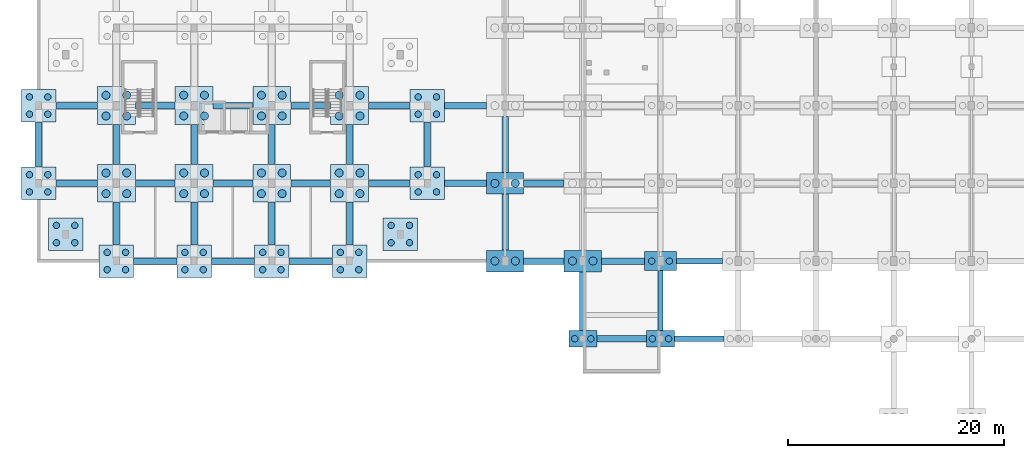
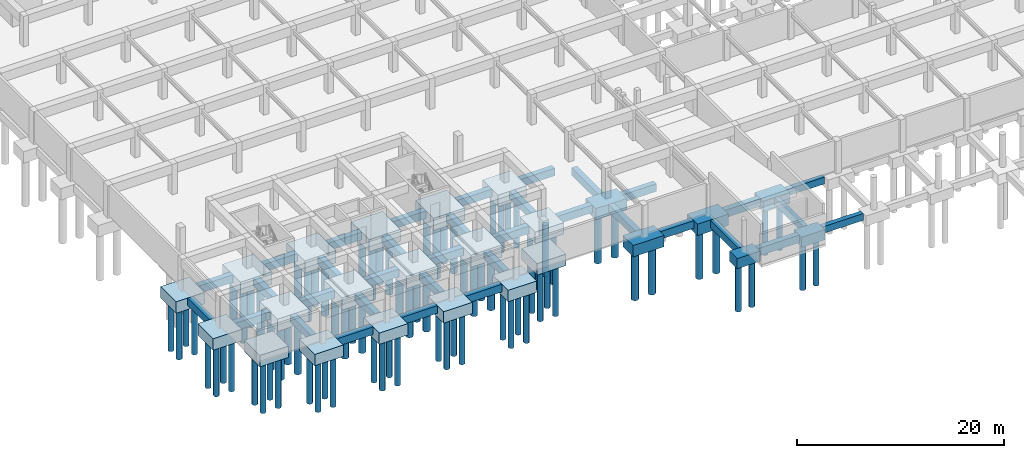
# One storey, part 1 of 36: 84 piles, 59 footings.
"""IFC4 building model written with IfcOpenShell, lengths in metres."""

from ifc_helpers import new_model, si_unit, direction, frame, origin, origin_2d, place, context, subcontext, project, spatial, rectangle, circle, extrude, material, material_profile, profile_set, type_object, element, save


model = new_model("IFC4")

# Units and contexts
model_context = context("Model", 3, precision=1e-05, world=origin(), true_north=direction((0.0, 1.0)))
body_context = subcontext(model_context, "Body", "Model", "MODEL_VIEW")
ifc_project = project(units=[si_unit("LENGTHUNIT", "METRE"), si_unit("AREAUNIT", "SQUARE_METRE"), si_unit("VOLUMEUNIT", "CUBIC_METRE"), si_unit("PLANEANGLEUNIT", "RADIAN"), si_unit("MASSUNIT", "GRAM", prefix="KILO")], contexts=[model_context])

# Site, building, storey
site_placement = place(None, origin())
site = spatial("IfcSite", under=ifc_project, at=site_placement, CompositionType="ELEMENT")
building_placement = place(site_placement, origin())
building = spatial("IfcBuilding", under=site, at=building_placement, Name="Ochrevale Crest", CompositionType="ELEMENT")
storey_placement = place(building_placement, frame((0.0, 0.0, -3.60009765625)))
storey = spatial("IfcBuildingStorey", under=building, at=storey_placement, Name="B1", CompositionType="ELEMENT", Elevation=-3.60009765625)

# Footings
ifc_material = material(Name="Concrete C40/50", Category="concrete")
footing_type_1 = type_object("IfcFootingType", Name="CAP-PC04", PredefinedType="PILE_CAP", material=ifc_material)
for number, where, z_axis, x_axis, name in (
    (1, (7.199951171875, 21.60009765625, -1.7099609375), (0.0, 0.0, 1.0), (1.0, 0.0, 0.0), "Pile cap PC04-014"),
    (2, (7.199951171875, 28.800048828125, -1.7099609375), (0.0, 0.0, 1.0), (1.0, 0.0, 0.0), "Pile cap PC04-015"),
    (3, (14.39990234375, 21.60009765625, -1.7099609375), (0.0, 0.0, 1.0), (1.0, 0.0, 0.0), "Pile cap PC04-026"),
    (4, (14.39990234375, 28.800048828125, -1.7099609375), (0.0, 0.0, 1.0), (1.0, 0.0, 0.0), "Pile cap PC04-027"),
    (5, (21.60009765625, 21.60009765625, -1.7099609375), (0.0, 0.0, 1.0), (1.0, 0.0, 0.0), "Pile cap PC04-038"),
    (6, (21.60009765625, 28.800048828125, -1.7099609375), (0.0, 0.0, 1.0), (1.0, 0.0, 0.0), "Pile cap PC04-039"),
    (7, (28.800048828125, 21.60009765625, -1.7099609375), (0.0, 0.0, 1.0), (1.0, 0.0, 0.0), "Pile cap PC04-050"),
    (8, (28.800048828125, 28.800048828125, -1.7099609375), (0.0, 0.0, 1.0), (1.0, 0.0, 0.0), "Pile cap PC04-051"),
):
    element("IfcFooting", number, at=place(storey_placement, frame(where, z_axis=z_axis, x_axis=x_axis)), inside=storey, type_object=footing_type_1, Name=name, PredefinedType="PILE_CAP", context=body_context, shape_type="SweptSolid", body=[
        extrude(rectangle(XDim=3.5, YDim=3.5, at=origin_2d()), origin(), (0.0, 0.0, 1.0), 1.449951171875),
    ])
footing_type_2 = type_object("IfcFootingType", Name="CAP-PC08", PredefinedType="PILE_CAP", material=ifc_material)
for number, where, z_axis, x_axis, name in (
    (9, (0.0, 21.60009765625, -1.60986328125), (0.0, 0.0, 1.0), (1.0, 0.0, 0.0), "Pile cap PC08-001"),
    (10, (0.0, 28.800048828125, -1.60986328125), (0.0, 0.0, 1.0), (1.0, 0.0, 0.0), "Pile cap PC08-002"),
    (11, (2.5, 16.89990234375, -1.60986328125), (0.0, 0.0, 1.0), (1.0, 0.0, 0.0), "Pile cap PC08-009"),
    (12, (7.199951171875, 14.39990234375, -1.60986328125), (0.0, 0.0, 1.0), (1.0, 0.0, 0.0), "Pile cap PC08-013"),
    (13, (14.39990234375, 14.39990234375, -1.60986328125), (0.0, 0.0, 1.0), (1.0, 0.0, 0.0), "Pile cap PC08-025"),
    (14, (21.60009765625, 14.39990234375, -1.60986328125), (0.0, 0.0, 1.0), (1.0, 0.0, 0.0), "Pile cap PC08-037"),
    (15, (28.800048828125, 14.39990234375, -1.60986328125), (0.0, 0.0, 1.0), (1.0, 0.0, 0.0), "Pile cap PC08-049"),
    (16, (33.5, 16.89990234375, -1.60986328125), (0.0, 0.0, 1.0), (1.0, 0.0, 0.0), "Pile cap PC08-061"),
    (17, (36.0, 21.60009765625, -1.60986328125), (0.0, 0.0, 1.0), (1.0, 0.0, 0.0), "Pile cap PC08-065"),
    (18, (36.0, 28.800048828125, -1.60986328125), (0.0, 0.0, 1.0), (1.0, 0.0, 0.0), "Pile cap PC08-066"),
):
    element("IfcFooting", number, at=place(storey_placement, frame(where, z_axis=z_axis, x_axis=x_axis)), inside=storey, type_object=footing_type_2, Name=name, PredefinedType="PILE_CAP", context=body_context, shape_type="SweptSolid", body=[
        extrude(rectangle(XDim=3.199951171875, YDim=3.0, at=origin_2d()), origin(), (0.0, 0.0, 1.0), 1.35009765625),
    ])
footing_type_3 = type_object("IfcFootingType", Name="CAP-PC12", PredefinedType="PILE_CAP", material=ifc_material)
for number, where, z_axis, x_axis, name in (
    (19, (43.199951171875, 14.39990234375, -1.60986328125), (0.0, 0.0, 1.0), (1.0, 0.0, 0.0), "Pile cap PC12-073"),
    (20, (43.199951171875, 21.60009765625, -1.60986328125), (0.0, 0.0, 1.0), (1.0, 0.0, 0.0), "Pile cap PC12-074"),
    (21, (50.39990234375, 14.39990234375, -1.60986328125), (0.0, 0.0, 1.0), (1.0, 0.0, 0.0), "Pile cap PC12-086"),
):
    element("IfcFooting", number, at=place(storey_placement, frame(where, z_axis=z_axis, x_axis=x_axis)), inside=storey, type_object=footing_type_3, Name=name, PredefinedType="PILE_CAP", context=body_context, shape_type="SweptSolid", body=[
        extrude(rectangle(XDim=3.449951171875, YDim=2.0, at=origin_2d()), origin(), (0.0, 0.0, 1.0), 1.35009765625),
    ])
footing_type_4 = type_object("IfcFootingType", Name="CAP-PC14", PredefinedType="PILE_CAP", material=ifc_material)
footing_1_placement = place(storey_placement, frame((57.60009765625, 14.39990234375, -1.510009765625), z_axis=(0.0, 0.0, 1.0), x_axis=(1.0, 0.0, 0.0)))
element("IfcFooting", 22, at=footing_1_placement, inside=storey, type_object=footing_type_4, Name="Pile cap PC14-099", PredefinedType="PILE_CAP", context=body_context, shape_type="SweptSolid", body=[
    extrude(rectangle(XDim=2.949951171875, YDim=1.75, at=origin_2d()), origin(), (0.0, 0.0, 1.0), 1.25),
])
footing_type_5 = type_object("IfcFootingType", Name="CAP-PC15", PredefinedType="PILE_CAP", material=ifc_material)
for number, where, z_axis, x_axis, name in (
    (23, (50.39990234375, 7.199951171875, -1.4599609375), (0.0, 0.0, 1.0), (1.0, 0.0, 0.0), "Pile cap PC15-085"),
    (24, (57.60009765625, 7.199951171875, -1.4599609375), (0.0, 0.0, 1.0), (1.0, 0.0, 0.0), "Pile cap PC15-098"),
):
    element("IfcFooting", number, at=place(storey_placement, frame(where, z_axis=z_axis, x_axis=x_axis)), inside=storey, type_object=footing_type_5, Name=name, PredefinedType="PILE_CAP", context=body_context, shape_type="SweptSolid", body=[
        extrude(rectangle(XDim=2.60009765625, YDim=1.5, at=origin_2d()), origin(), (0.0, 0.0, 1.0), 1.199951171875),
    ])
ifc_material_profile_1 = material_profile(ifc_material, rectangle(XDim=0.5, YDim=0.800048828125, at=origin_2d()), Name="GB 500x800")
ifc_profile_set_1 = profile_set([ifc_material_profile_1], Name="Concrete C40/50")
footing_type_6 = type_object("IfcFootingType", Name="FTG-GB500x800", PredefinedType="FOOTING_BEAM", material=ifc_profile_set_1)
footing_2_placement = place(storey_placement, frame((58.902099609375, 7.199951171875, -0.659912109375), z_axis=(1.0, 0.0, 0.0), x_axis=(0.0, 1.0, 0.0)))
element("IfcFooting", 25, at=footing_2_placement, inside=storey, type_object=footing_type_6, Name="Foundation tie beam GB2-163", PredefinedType="FOOTING_BEAM", context=body_context, shape_type="SweptSolid", body=[
    extrude(rectangle(XDim=0.5, YDim=0.800048828125, at=origin_2d()), origin(), (0.0, 0.0, 1.0), 4.595947265625),
])
footing_3_placement = place(storey_placement, frame((57.60009765625, 7.951904296875, -0.659912109375), z_axis=(0.0, 1.0, 0.0), x_axis=(-1.0, 0.0, 0.0)))
element("IfcFooting", 26, at=footing_3_placement, inside=storey, type_object=footing_type_6, Name="Foundation tie beam GB2-164", PredefinedType="FOOTING_BEAM", context=body_context, shape_type="SweptSolid", body=[
    extrude(rectangle(XDim=0.5, YDim=0.800048828125, at=origin_2d()), origin(), (0.0, 0.0, 1.0), 5.571044921875),
])
footing_4_placement = place(storey_placement, frame((59.076904296875, 14.39990234375, -0.659912109375), z_axis=(1.0, 0.0, 0.0), x_axis=(0.0, 1.0, 0.0)))
element("IfcFooting", 27, at=footing_4_placement, inside=storey, type_object=footing_type_6, Name="Foundation tie beam GB2-165", PredefinedType="FOOTING_BEAM", context=body_context, shape_type="SweptSolid", body=[
    extrude(rectangle(XDim=0.5, YDim=0.800048828125, at=origin_2d()), origin(), (0.0, 0.0, 1.0), 4.24609375),
])
ifc_material_profile_2 = material_profile(ifc_material, rectangle(XDim=0.60009765625, YDim=0.89990234375, at=origin_2d()), Name="GB 600x900")
ifc_profile_set_2 = profile_set([ifc_material_profile_2], Name="Concrete C40/50")
footing_type_7 = type_object("IfcFootingType", Name="FTG-GB600x900", PredefinedType="FOOTING_BEAM", material=ifc_profile_set_2)
footing_5_placement = place(storey_placement, frame((1.60205078125, 21.60009765625, -0.7099609375), z_axis=(1.0, 0.0, 0.0), x_axis=(0.0, 1.0, 0.0)))
element("IfcFooting", 28, at=footing_5_placement, inside=storey, type_object=footing_type_7, Name="Foundation tie beam GB1-001", PredefinedType="FOOTING_BEAM", context=body_context, shape_type="SweptSolid", body=[
    extrude(rectangle(XDim=0.60009765625, YDim=0.89990234375, at=origin_2d()), origin(), (0.0, 0.0, 1.0), 3.845947265625),
])
footing_6_placement = place(storey_placement, frame((0.0, 23.10205078125, -0.7099609375), z_axis=(0.0, 1.0, 0.0), x_axis=(-1.0, 0.0, 0.0)))
element("IfcFooting", 29, at=footing_6_placement, inside=storey, type_object=footing_type_7, Name="Foundation tie beam GB1-002", PredefinedType="FOOTING_BEAM", context=body_context, shape_type="SweptSolid", body=[
    extrude(rectangle(XDim=0.60009765625, YDim=0.89990234375, at=origin_2d()), origin(), (0.0, 0.0, 1.0), 4.196044921875),
])
footing_7_placement = place(storey_placement, frame((1.60205078125, 28.800048828125, -0.7099609375), z_axis=(1.0, 0.0, 0.0), x_axis=(0.0, 1.0, 0.0)))
element("IfcFooting", 30, at=footing_7_placement, inside=storey, type_object=footing_type_7, Name="Foundation tie beam GB1-003", PredefinedType="FOOTING_BEAM", context=body_context, shape_type="SweptSolid", body=[
    extrude(rectangle(XDim=0.60009765625, YDim=0.89990234375, at=origin_2d()), origin(), (0.0, 0.0, 1.0), 3.845947265625),
])
footing_8_placement = place(storey_placement, frame((8.802001953125, 14.39990234375, -0.7099609375), z_axis=(1.0, 0.0, 0.0), x_axis=(0.0, 1.0, 0.0)))
element("IfcFooting", 31, at=footing_8_placement, inside=storey, type_object=footing_type_7, Name="Foundation tie beam GB1-014", PredefinedType="FOOTING_BEAM", context=body_context, shape_type="SweptSolid", body=[
    extrude(rectangle(XDim=0.60009765625, YDim=0.89990234375, at=origin_2d()), origin(), (0.0, 0.0, 1.0), 3.99609375),
])
footing_9_placement = place(storey_placement, frame((7.199951171875, 15.902099609375, -0.7099609375), z_axis=(0.0, 1.0, 0.0), x_axis=(-1.0, 0.0, 0.0)))
element("IfcFooting", 32, at=footing_9_placement, inside=storey, type_object=footing_type_7, Name="Foundation tie beam GB1-015", PredefinedType="FOOTING_BEAM", context=body_context, shape_type="SweptSolid", body=[
    extrude(rectangle(XDim=0.60009765625, YDim=0.89990234375, at=origin_2d()), origin(), (0.0, 0.0, 1.0), 3.94580078125),
])
for number, where, z_axis, x_axis, name in (
    (33, (8.951904296875, 21.60009765625, -0.7099609375), (1.0, 0.0, 0.0), (0.0, 1.0, 0.0), "Foundation tie beam GB1-016"),
    (34, (7.199951171875, 23.35205078125, -0.7099609375), (0.0, 1.0, 0.0), (-1.0, 0.0, 0.0), "Foundation tie beam GB1-017"),
    (35, (8.951904296875, 28.800048828125, -0.7099609375), (1.0, 0.0, 0.0), (0.0, 1.0, 0.0), "Foundation tie beam GB1-018"),
):
    element("IfcFooting", number, at=place(storey_placement, frame(where, z_axis=z_axis, x_axis=x_axis)), inside=storey, type_object=footing_type_7, Name=name, PredefinedType="FOOTING_BEAM", context=body_context, shape_type="SweptSolid", body=[
        extrude(rectangle(XDim=0.60009765625, YDim=0.89990234375, at=origin_2d()), origin(), (0.0, 0.0, 1.0), 3.696044921875),
    ])
footing_10_placement = place(storey_placement, frame((16.001953125, 14.39990234375, -0.7099609375), z_axis=(1.0, 0.0, 0.0), x_axis=(0.0, 1.0, 0.0)))
element("IfcFooting", 36, at=footing_10_placement, inside=storey, type_object=footing_type_7, Name="Foundation tie beam GB1-037", PredefinedType="FOOTING_BEAM", context=body_context, shape_type="SweptSolid", body=[
    extrude(rectangle(XDim=0.60009765625, YDim=0.89990234375, at=origin_2d()), origin(), (0.0, 0.0, 1.0), 3.99609375),
])
footing_11_placement = place(storey_placement, frame((14.39990234375, 15.902099609375, -0.7099609375), z_axis=(0.0, 1.0, 0.0), x_axis=(-1.0, 0.0, 0.0)))
element("IfcFooting", 37, at=footing_11_placement, inside=storey, type_object=footing_type_7, Name="Foundation tie beam GB1-038", PredefinedType="FOOTING_BEAM", context=body_context, shape_type="SweptSolid", body=[
    extrude(rectangle(XDim=0.60009765625, YDim=0.89990234375, at=origin_2d()), origin(), (0.0, 0.0, 1.0), 3.94580078125),
])
footing_12_placement = place(storey_placement, frame((16.152099609375, 21.60009765625, -0.7099609375), z_axis=(1.0, 0.0, 0.0), x_axis=(0.0, 1.0, 0.0)))
element("IfcFooting", 38, at=footing_12_placement, inside=storey, type_object=footing_type_7, Name="Foundation tie beam GB1-039", PredefinedType="FOOTING_BEAM", context=body_context, shape_type="SweptSolid", body=[
    extrude(rectangle(XDim=0.60009765625, YDim=0.89990234375, at=origin_2d()), origin(), (0.0, 0.0, 1.0), 3.69580078125),
])
footing_13_placement = place(storey_placement, frame((14.39990234375, 23.35205078125, -0.7099609375), z_axis=(0.0, 1.0, 0.0), x_axis=(-1.0, 0.0, 0.0)))
element("IfcFooting", 39, at=footing_13_placement, inside=storey, type_object=footing_type_7, Name="Foundation tie beam GB1-040", PredefinedType="FOOTING_BEAM", context=body_context, shape_type="SweptSolid", body=[
    extrude(rectangle(XDim=0.60009765625, YDim=0.89990234375, at=origin_2d()), origin(), (0.0, 0.0, 1.0), 3.696044921875),
])
footing_14_placement = place(storey_placement, frame((16.152099609375, 28.800048828125, -0.7099609375), z_axis=(1.0, 0.0, 0.0), x_axis=(0.0, 1.0, 0.0)))
element("IfcFooting", 40, at=footing_14_placement, inside=storey, type_object=footing_type_7, Name="Foundation tie beam GB1-041", PredefinedType="FOOTING_BEAM", context=body_context, shape_type="SweptSolid", body=[
    extrude(rectangle(XDim=0.60009765625, YDim=0.89990234375, at=origin_2d()), origin(), (0.0, 0.0, 1.0), 3.69580078125),
])
footing_15_placement = place(storey_placement, frame((23.201904296875, 14.39990234375, -0.7099609375), z_axis=(1.0, 0.0, 0.0), x_axis=(0.0, 1.0, 0.0)))
element("IfcFooting", 41, at=footing_15_placement, inside=storey, type_object=footing_type_7, Name="Foundation tie beam GB1-060", PredefinedType="FOOTING_BEAM", context=body_context, shape_type="SweptSolid", body=[
    extrude(rectangle(XDim=0.60009765625, YDim=0.89990234375, at=origin_2d()), origin(), (0.0, 0.0, 1.0), 3.99609375),
])
footing_16_placement = place(storey_placement, frame((21.60009765625, 15.902099609375, -0.7099609375), z_axis=(0.0, 1.0, 0.0), x_axis=(-1.0, 0.0, 0.0)))
element("IfcFooting", 42, at=footing_16_placement, inside=storey, type_object=footing_type_7, Name="Foundation tie beam GB1-061", PredefinedType="FOOTING_BEAM", context=body_context, shape_type="SweptSolid", body=[
    extrude(rectangle(XDim=0.60009765625, YDim=0.89990234375, at=origin_2d()), origin(), (0.0, 0.0, 1.0), 3.94580078125),
])
for number, where, z_axis, x_axis, name in (
    (43, (23.35205078125, 21.60009765625, -0.7099609375), (1.0, 0.0, 0.0), (0.0, 1.0, 0.0), "Foundation tie beam GB1-062"),
    (44, (21.60009765625, 23.35205078125, -0.7099609375), (0.0, 1.0, 0.0), (-1.0, 0.0, 0.0), "Foundation tie beam GB1-063"),
    (45, (23.35205078125, 28.800048828125, -0.7099609375), (1.0, 0.0, 0.0), (0.0, 1.0, 0.0), "Foundation tie beam GB1-064"),
):
    element("IfcFooting", number, at=place(storey_placement, frame(where, z_axis=z_axis, x_axis=x_axis)), inside=storey, type_object=footing_type_7, Name=name, PredefinedType="FOOTING_BEAM", context=body_context, shape_type="SweptSolid", body=[
        extrude(rectangle(XDim=0.60009765625, YDim=0.89990234375, at=origin_2d()), origin(), (0.0, 0.0, 1.0), 3.696044921875),
    ])
footing_17_placement = place(storey_placement, frame((28.800048828125, 15.902099609375, -0.7099609375), z_axis=(0.0, 1.0, 0.0), x_axis=(-1.0, 0.0, 0.0)))
element("IfcFooting", 46, at=footing_17_placement, inside=storey, type_object=footing_type_7, Name="Foundation tie beam GB1-083", PredefinedType="FOOTING_BEAM", context=body_context, shape_type="SweptSolid", body=[
    extrude(rectangle(XDim=0.60009765625, YDim=0.89990234375, at=origin_2d()), origin(), (0.0, 0.0, 1.0), 3.94580078125),
])
footing_18_placement = place(storey_placement, frame((30.552001953125, 21.60009765625, -0.7099609375), z_axis=(1.0, 0.0, 0.0), x_axis=(0.0, 1.0, 0.0)))
element("IfcFooting", 47, at=footing_18_placement, inside=storey, type_object=footing_type_7, Name="Foundation tie beam GB1-084", PredefinedType="FOOTING_BEAM", context=body_context, shape_type="SweptSolid", body=[
    extrude(rectangle(XDim=0.60009765625, YDim=0.89990234375, at=origin_2d()), origin(), (0.0, 0.0, 1.0), 3.845947265625),
])
footing_19_placement = place(storey_placement, frame((28.800048828125, 23.35205078125, -0.7099609375), z_axis=(0.0, 1.0, 0.0), x_axis=(-1.0, 0.0, 0.0)))
element("IfcFooting", 48, at=footing_19_placement, inside=storey, type_object=footing_type_7, Name="Foundation tie beam GB1-085", PredefinedType="FOOTING_BEAM", context=body_context, shape_type="SweptSolid", body=[
    extrude(rectangle(XDim=0.60009765625, YDim=0.89990234375, at=origin_2d()), origin(), (0.0, 0.0, 1.0), 3.696044921875),
])
footing_20_placement = place(storey_placement, frame((30.552001953125, 28.800048828125, -0.7099609375), z_axis=(1.0, 0.0, 0.0), x_axis=(0.0, 1.0, 0.0)))
element("IfcFooting", 49, at=footing_20_placement, inside=storey, type_object=footing_type_7, Name="Foundation tie beam GB1-086", PredefinedType="FOOTING_BEAM", context=body_context, shape_type="SweptSolid", body=[
    extrude(rectangle(XDim=0.60009765625, YDim=0.89990234375, at=origin_2d()), origin(), (0.0, 0.0, 1.0), 3.845947265625),
])
footing_21_placement = place(storey_placement, frame((37.60205078125, 21.60009765625, -0.7099609375), z_axis=(1.0, 0.0, 0.0), x_axis=(0.0, 1.0, 0.0)))
element("IfcFooting", 50, at=footing_21_placement, inside=storey, type_object=footing_type_7, Name="Foundation tie beam GB1-102", PredefinedType="FOOTING_BEAM", context=body_context, shape_type="SweptSolid", body=[
    extrude(rectangle(XDim=0.60009765625, YDim=0.89990234375, at=origin_2d()), origin(), (0.0, 0.0, 1.0), 3.870849609375),
])
footing_22_placement = place(storey_placement, frame((36.0, 23.10205078125, -0.7099609375), z_axis=(0.0, 1.0, 0.0), x_axis=(-1.0, 0.0, 0.0)))
element("IfcFooting", 51, at=footing_22_placement, inside=storey, type_object=footing_type_7, Name="Foundation tie beam GB1-103", PredefinedType="FOOTING_BEAM", context=body_context, shape_type="SweptSolid", body=[
    extrude(rectangle(XDim=0.60009765625, YDim=0.89990234375, at=origin_2d()), origin(), (0.0, 0.0, 1.0), 4.196044921875),
])
footing_23_placement = place(storey_placement, frame((37.60205078125, 28.800048828125, -0.7099609375), z_axis=(1.0, 0.0, 0.0), x_axis=(0.0, 1.0, 0.0)))
element("IfcFooting", 52, at=footing_23_placement, inside=storey, type_object=footing_type_7, Name="Foundation tie beam GB1-104", PredefinedType="FOOTING_BEAM", context=body_context, shape_type="SweptSolid", body=[
    extrude(rectangle(XDim=0.60009765625, YDim=0.89990234375, at=origin_2d()), origin(), (0.0, 0.0, 1.0), 3.870849609375),
])
footing_24_placement = place(storey_placement, frame((44.927001953125, 14.39990234375, -0.7099609375), z_axis=(1.0, 0.0, 0.0), x_axis=(0.0, 1.0, 0.0)))
element("IfcFooting", 53, at=footing_24_placement, inside=storey, type_object=footing_type_7, Name="Foundation tie beam GB1-115", PredefinedType="FOOTING_BEAM", context=body_context, shape_type="SweptSolid", body=[
    extrude(rectangle(XDim=0.60009765625, YDim=0.89990234375, at=origin_2d()), origin(), (0.0, 0.0, 1.0), 3.74609375),
])
footing_25_placement = place(storey_placement, frame((43.199951171875, 15.402099609375, -0.7099609375), z_axis=(0.0, 1.0, 0.0), x_axis=(-1.0, 0.0, 0.0)))
element("IfcFooting", 54, at=footing_25_placement, inside=storey, type_object=footing_type_7, Name="Foundation tie beam GB1-116", PredefinedType="FOOTING_BEAM", context=body_context, shape_type="SweptSolid", body=[
    extrude(rectangle(XDim=0.60009765625, YDim=0.89990234375, at=origin_2d()), origin(), (0.0, 0.0, 1.0), 5.19580078125),
])
footing_26_placement = place(storey_placement, frame((44.927001953125, 21.60009765625, -0.7099609375), z_axis=(1.0, 0.0, 0.0), x_axis=(0.0, 1.0, 0.0)))
element("IfcFooting", 55, at=footing_26_placement, inside=storey, type_object=footing_type_7, Name="Foundation tie beam GB1-117", PredefinedType="FOOTING_BEAM", context=body_context, shape_type="SweptSolid", body=[
    extrude(rectangle(XDim=0.60009765625, YDim=0.89990234375, at=origin_2d()), origin(), (0.0, 0.0, 1.0), 3.74609375),
])
footing_27_placement = place(storey_placement, frame((43.199951171875, 22.60205078125, -0.7099609375), z_axis=(0.0, 1.0, 0.0), x_axis=(-1.0, 0.0, 0.0)))
element("IfcFooting", 56, at=footing_27_placement, inside=storey, type_object=footing_type_7, Name="Foundation tie beam GB1-118", PredefinedType="FOOTING_BEAM", context=body_context, shape_type="SweptSolid", body=[
    extrude(rectangle(XDim=0.60009765625, YDim=0.89990234375, at=origin_2d()), origin(), (0.0, 0.0, 1.0), 5.196044921875),
])
footing_28_placement = place(storey_placement, frame((51.701904296875, 7.199951171875, -0.7099609375), z_axis=(1.0, 0.0, 0.0), x_axis=(0.0, 1.0, 0.0)))
element("IfcFooting", 57, at=footing_28_placement, inside=storey, type_object=footing_type_7, Name="Foundation tie beam GB1-138", PredefinedType="FOOTING_BEAM", context=body_context, shape_type="SweptSolid", body=[
    extrude(rectangle(XDim=0.60009765625, YDim=0.89990234375, at=origin_2d()), origin(), (0.0, 0.0, 1.0), 4.59619140625),
])
footing_29_placement = place(storey_placement, frame((50.39990234375, 7.951904296875, -0.7099609375), z_axis=(0.0, 1.0, 0.0), x_axis=(-1.0, 0.0, 0.0)))
element("IfcFooting", 58, at=footing_29_placement, inside=storey, type_object=footing_type_7, Name="Foundation tie beam GB1-139", PredefinedType="FOOTING_BEAM", context=body_context, shape_type="SweptSolid", body=[
    extrude(rectangle(XDim=0.60009765625, YDim=0.89990234375, at=origin_2d()), origin(), (0.0, 0.0, 1.0), 5.446044921875),
])
footing_30_placement = place(storey_placement, frame((52.126953125, 14.39990234375, -0.7099609375), z_axis=(1.0, 0.0, 0.0), x_axis=(0.0, 1.0, 0.0)))
element("IfcFooting", 59, at=footing_30_placement, inside=storey, type_object=footing_type_7, Name="Foundation tie beam GB1-140", PredefinedType="FOOTING_BEAM", context=body_context, shape_type="SweptSolid", body=[
    extrude(rectangle(XDim=0.60009765625, YDim=0.89990234375, at=origin_2d()), origin(), (0.0, 0.0, 1.0), 3.99609375),
])

# Piles
ifc_material_profile_3 = material_profile(ifc_material, circle(Radius=0.300048828125, at=origin_2d()), Name="BORED PILE 600")
ifc_profile_set_3 = profile_set([ifc_material_profile_3], Name="Concrete C40/50")
pile_type_1 = type_object("IfcPileType", Name="PILE-BP600", PredefinedType="BORED", material=ifc_profile_set_3)
for number, where, z_axis, x_axis, name in (
    (60, (-0.85009765625, 20.800048828125, -1.510009765625), (0.0, 0.0, -1.0), (1.0, 0.0, 0.0), "Bored pile P1-001-1"),
    (61, (0.85009765625, 20.800048828125, -1.510009765625), (0.0, 0.0, -1.0), (1.0, 0.0, 0.0), "Bored pile P1-001-2"),
    (62, (-0.85009765625, 22.39990234375, -1.510009765625), (0.0, 0.0, -1.0), (1.0, 0.0, 0.0), "Bored pile P1-001-3"),
    (63, (0.85009765625, 22.39990234375, -1.510009765625), (0.0, 0.0, -1.0), (1.0, 0.0, 0.0), "Bored pile P1-001-4"),
    (64, (-0.85009765625, 28.0, -1.510009765625), (0.0, 0.0, -1.0), (1.0, 0.0, 0.0), "Bored pile P1-002-1"),
    (65, (0.85009765625, 28.0, -1.510009765625), (0.0, 0.0, -1.0), (1.0, 0.0, 0.0), "Bored pile P1-002-2"),
    (66, (-0.85009765625, 29.60009765625, -1.510009765625), (0.0, 0.0, -1.0), (1.0, 0.0, 0.0), "Bored pile P1-002-3"),
    (67, (0.85009765625, 29.60009765625, -1.510009765625), (0.0, 0.0, -1.0), (1.0, 0.0, 0.0), "Bored pile P1-002-4"),
    (68, (1.64990234375, 16.10009765625, -1.510009765625), (0.0, 0.0, -1.0), (1.0, 0.0, 0.0), "Bored pile P1-009-1"),
    (69, (3.35009765625, 16.10009765625, -1.510009765625), (0.0, 0.0, -1.0), (1.0, 0.0, 0.0), "Bored pile P1-009-2"),
    (70, (1.64990234375, 17.699951171875, -1.510009765625), (0.0, 0.0, -1.0), (1.0, 0.0, 0.0), "Bored pile P1-009-3"),
    (71, (3.35009765625, 17.699951171875, -1.510009765625), (0.0, 0.0, -1.0), (1.0, 0.0, 0.0), "Bored pile P1-009-4"),
    (72, (6.35009765625, 13.60009765625, -1.510009765625), (0.0, 0.0, -1.0), (1.0, 0.0, 0.0), "Bored pile P1-013-1"),
    (73, (8.050048828125, 13.60009765625, -1.510009765625), (0.0, 0.0, -1.0), (1.0, 0.0, 0.0), "Bored pile P1-013-2"),
    (74, (6.35009765625, 15.199951171875, -1.510009765625), (0.0, 0.0, -1.0), (1.0, 0.0, 0.0), "Bored pile P1-013-3"),
    (75, (8.050048828125, 15.199951171875, -1.510009765625), (0.0, 0.0, -1.0), (1.0, 0.0, 0.0), "Bored pile P1-013-4"),
    (76, (13.550048828125, 13.60009765625, -1.510009765625), (0.0, 0.0, -1.0), (1.0, 0.0, 0.0), "Bored pile P1-025-1"),
    (77, (15.25, 13.60009765625, -1.510009765625), (0.0, 0.0, -1.0), (1.0, 0.0, 0.0), "Bored pile P1-025-2"),
    (78, (13.550048828125, 15.199951171875, -1.510009765625), (0.0, 0.0, -1.0), (1.0, 0.0, 0.0), "Bored pile P1-025-3"),
    (79, (15.25, 15.199951171875, -1.510009765625), (0.0, 0.0, -1.0), (1.0, 0.0, 0.0), "Bored pile P1-025-4"),
    (80, (20.75, 13.60009765625, -1.510009765625), (0.0, 0.0, -1.0), (1.0, 0.0, 0.0), "Bored pile P1-037-1"),
    (81, (22.449951171875, 13.60009765625, -1.510009765625), (0.0, 0.0, -1.0), (1.0, 0.0, 0.0), "Bored pile P1-037-2"),
    (82, (20.75, 15.199951171875, -1.510009765625), (0.0, 0.0, -1.0), (1.0, 0.0, 0.0), "Bored pile P1-037-3"),
    (83, (22.449951171875, 15.199951171875, -1.510009765625), (0.0, 0.0, -1.0), (1.0, 0.0, 0.0), "Bored pile P1-037-4"),
    (84, (27.949951171875, 13.60009765625, -1.510009765625), (0.0, 0.0, -1.0), (1.0, 0.0, 0.0), "Bored pile P1-049-1"),
    (85, (29.64990234375, 13.60009765625, -1.510009765625), (0.0, 0.0, -1.0), (1.0, 0.0, 0.0), "Bored pile P1-049-2"),
    (86, (27.949951171875, 15.199951171875, -1.510009765625), (0.0, 0.0, -1.0), (1.0, 0.0, 0.0), "Bored pile P1-049-3"),
    (87, (29.64990234375, 15.199951171875, -1.510009765625), (0.0, 0.0, -1.0), (1.0, 0.0, 0.0), "Bored pile P1-049-4"),
    (88, (32.64990234375, 16.10009765625, -1.510009765625), (0.0, 0.0, -1.0), (1.0, 0.0, 0.0), "Bored pile P1-061-1"),
    (89, (34.35009765625, 16.10009765625, -1.510009765625), (0.0, 0.0, -1.0), (1.0, 0.0, 0.0), "Bored pile P1-061-2"),
    (90, (32.64990234375, 17.699951171875, -1.510009765625), (0.0, 0.0, -1.0), (1.0, 0.0, 0.0), "Bored pile P1-061-3"),
    (91, (34.35009765625, 17.699951171875, -1.510009765625), (0.0, 0.0, -1.0), (1.0, 0.0, 0.0), "Bored pile P1-061-4"),
    (92, (35.14990234375, 20.800048828125, -1.510009765625), (0.0, 0.0, -1.0), (1.0, 0.0, 0.0), "Bored pile P1-065-1"),
    (93, (36.85009765625, 20.800048828125, -1.510009765625), (0.0, 0.0, -1.0), (1.0, 0.0, 0.0), "Bored pile P1-065-2"),
    (94, (35.14990234375, 22.39990234375, -1.510009765625), (0.0, 0.0, -1.0), (1.0, 0.0, 0.0), "Bored pile P1-065-3"),
    (95, (36.85009765625, 22.39990234375, -1.510009765625), (0.0, 0.0, -1.0), (1.0, 0.0, 0.0), "Bored pile P1-065-4"),
    (96, (35.14990234375, 28.0, -1.510009765625), (0.0, 0.0, -1.0), (1.0, 0.0, 0.0), "Bored pile P1-066-1"),
    (97, (36.85009765625, 28.0, -1.510009765625), (0.0, 0.0, -1.0), (1.0, 0.0, 0.0), "Bored pile P1-066-2"),
    (98, (35.14990234375, 29.60009765625, -1.510009765625), (0.0, 0.0, -1.0), (1.0, 0.0, 0.0), "Bored pile P1-066-3"),
    (99, (36.85009765625, 29.60009765625, -1.510009765625), (0.0, 0.0, -1.0), (1.0, 0.0, 0.0), "Bored pile P1-066-4"),
):
    element("IfcPile", number, at=place(storey_placement, frame(where, z_axis=z_axis, x_axis=x_axis)), inside=storey, type_object=pile_type_1, Name=name, PredefinedType="BORED", context=body_context, shape_type="SweptSolid", body=[
        extrude(circle(Radius=0.300048828125, at=origin_2d()), origin(), (0.0, 0.0, 1.0), 6.090087890625),
    ])
for number, where, z_axis, x_axis, name in (
    (100, (49.64990234375, 7.199951171875, -1.35986328125), (0.0, 0.0, -1.0), (1.0, 0.0, 0.0), "Bored pile P1-085-1"),
    (101, (51.14990234375, 7.199951171875, -1.35986328125), (0.0, 0.0, -1.0), (1.0, 0.0, 0.0), "Bored pile P1-085-2"),
    (102, (56.85009765625, 7.199951171875, -1.35986328125), (0.0, 0.0, -1.0), (1.0, 0.0, 0.0), "Bored pile P1-098-1"),
    (103, (58.35009765625, 7.199951171875, -1.35986328125), (0.0, 0.0, -1.0), (1.0, 0.0, 0.0), "Bored pile P1-098-2"),
):
    element("IfcPile", number, at=place(storey_placement, frame(where, z_axis=z_axis, x_axis=x_axis)), inside=storey, type_object=pile_type_1, Name=name, PredefinedType="BORED", context=body_context, shape_type="SweptSolid", body=[
        extrude(circle(Radius=0.300048828125, at=origin_2d()), origin(), (0.0, 0.0, 1.0), 5.639892578125),
    ])
for number, where, z_axis, x_axis, name in (
    (104, (56.780029296875, 14.39990234375, -1.409912109375), (0.0, 0.0, -1.0), (1.0, 0.0, 0.0), "Bored pile P1-099-1"),
    (105, (58.419921875, 14.39990234375, -1.409912109375), (0.0, 0.0, -1.0), (1.0, 0.0, 0.0), "Bored pile P1-099-2"),
):
    element("IfcPile", number, at=place(storey_placement, frame(where, z_axis=z_axis, x_axis=x_axis)), inside=storey, type_object=pile_type_1, Name=name, PredefinedType="BORED", context=body_context, shape_type="SweptSolid", body=[
        extrude(circle(Radius=0.300048828125, at=origin_2d()), origin(), (0.0, 0.0, 1.0), 5.7900390625),
    ])
ifc_material_profile_4 = material_profile(ifc_material, circle(Radius=0.375, at=origin_2d()), Name="BORED PILE 750")
ifc_profile_set_4 = profile_set([ifc_material_profile_4], Name="Concrete C40/50")
pile_type_2 = type_object("IfcPileType", Name="PILE-BP750", PredefinedType="BORED", material=ifc_profile_set_4)
for number, where, z_axis, x_axis, name in (
    (106, (6.239990234375, 20.639892578125, -1.60986328125), (0.0, 0.0, -1.0), (1.0, 0.0, 0.0), "Bored pile P2-014-1"),
    (107, (8.159912109375, 20.639892578125, -1.60986328125), (0.0, 0.0, -1.0), (1.0, 0.0, 0.0), "Bored pile P2-014-2"),
    (108, (6.239990234375, 22.56005859375, -1.60986328125), (0.0, 0.0, -1.0), (1.0, 0.0, 0.0), "Bored pile P2-014-3"),
    (109, (8.159912109375, 22.56005859375, -1.60986328125), (0.0, 0.0, -1.0), (1.0, 0.0, 0.0), "Bored pile P2-014-4"),
    (110, (6.239990234375, 27.840087890625, -1.60986328125), (0.0, 0.0, -1.0), (1.0, 0.0, 0.0), "Bored pile P2-015-1"),
    (111, (8.159912109375, 27.840087890625, -1.60986328125), (0.0, 0.0, -1.0), (1.0, 0.0, 0.0), "Bored pile P2-015-2"),
    (112, (6.239990234375, 29.760009765625, -1.60986328125), (0.0, 0.0, -1.0), (1.0, 0.0, 0.0), "Bored pile P2-015-3"),
    (113, (8.159912109375, 29.760009765625, -1.60986328125), (0.0, 0.0, -1.0), (1.0, 0.0, 0.0), "Bored pile P2-015-4"),
    (114, (13.43994140625, 20.639892578125, -1.60986328125), (0.0, 0.0, -1.0), (1.0, 0.0, 0.0), "Bored pile P2-026-1"),
    (115, (15.360107421875, 20.639892578125, -1.60986328125), (0.0, 0.0, -1.0), (1.0, 0.0, 0.0), "Bored pile P2-026-2"),
    (116, (13.43994140625, 22.56005859375, -1.60986328125), (0.0, 0.0, -1.0), (1.0, 0.0, 0.0), "Bored pile P2-026-3"),
    (117, (15.360107421875, 22.56005859375, -1.60986328125), (0.0, 0.0, -1.0), (1.0, 0.0, 0.0), "Bored pile P2-026-4"),
    (118, (13.43994140625, 27.840087890625, -1.60986328125), (0.0, 0.0, -1.0), (1.0, 0.0, 0.0), "Bored pile P2-027-1"),
    (119, (15.360107421875, 27.840087890625, -1.60986328125), (0.0, 0.0, -1.0), (1.0, 0.0, 0.0), "Bored pile P2-027-2"),
    (120, (13.43994140625, 29.760009765625, -1.60986328125), (0.0, 0.0, -1.0), (1.0, 0.0, 0.0), "Bored pile P2-027-3"),
    (121, (15.360107421875, 29.760009765625, -1.60986328125), (0.0, 0.0, -1.0), (1.0, 0.0, 0.0), "Bored pile P2-027-4"),
    (122, (20.639892578125, 20.639892578125, -1.60986328125), (0.0, 0.0, -1.0), (1.0, 0.0, 0.0), "Bored pile P2-038-1"),
    (123, (22.56005859375, 20.639892578125, -1.60986328125), (0.0, 0.0, -1.0), (1.0, 0.0, 0.0), "Bored pile P2-038-2"),
    (124, (20.639892578125, 22.56005859375, -1.60986328125), (0.0, 0.0, -1.0), (1.0, 0.0, 0.0), "Bored pile P2-038-3"),
    (125, (22.56005859375, 22.56005859375, -1.60986328125), (0.0, 0.0, -1.0), (1.0, 0.0, 0.0), "Bored pile P2-038-4"),
    (126, (20.639892578125, 27.840087890625, -1.60986328125), (0.0, 0.0, -1.0), (1.0, 0.0, 0.0), "Bored pile P2-039-1"),
    (127, (22.56005859375, 27.840087890625, -1.60986328125), (0.0, 0.0, -1.0), (1.0, 0.0, 0.0), "Bored pile P2-039-2"),
    (128, (20.639892578125, 29.760009765625, -1.60986328125), (0.0, 0.0, -1.0), (1.0, 0.0, 0.0), "Bored pile P2-039-3"),
    (129, (22.56005859375, 29.760009765625, -1.60986328125), (0.0, 0.0, -1.0), (1.0, 0.0, 0.0), "Bored pile P2-039-4"),
    (130, (27.840087890625, 20.639892578125, -1.60986328125), (0.0, 0.0, -1.0), (1.0, 0.0, 0.0), "Bored pile P2-050-1"),
    (131, (29.760009765625, 20.639892578125, -1.60986328125), (0.0, 0.0, -1.0), (1.0, 0.0, 0.0), "Bored pile P2-050-2"),
    (132, (27.840087890625, 22.56005859375, -1.60986328125), (0.0, 0.0, -1.0), (1.0, 0.0, 0.0), "Bored pile P2-050-3"),
    (133, (29.760009765625, 22.56005859375, -1.60986328125), (0.0, 0.0, -1.0), (1.0, 0.0, 0.0), "Bored pile P2-050-4"),
    (134, (27.840087890625, 27.840087890625, -1.60986328125), (0.0, 0.0, -1.0), (1.0, 0.0, 0.0), "Bored pile P2-051-1"),
    (135, (29.760009765625, 27.840087890625, -1.60986328125), (0.0, 0.0, -1.0), (1.0, 0.0, 0.0), "Bored pile P2-051-2"),
    (136, (27.840087890625, 29.760009765625, -1.60986328125), (0.0, 0.0, -1.0), (1.0, 0.0, 0.0), "Bored pile P2-051-3"),
    (137, (29.760009765625, 29.760009765625, -1.60986328125), (0.0, 0.0, -1.0), (1.0, 0.0, 0.0), "Bored pile P2-051-4"),
):
    element("IfcPile", number, at=place(storey_placement, frame(where, z_axis=z_axis, x_axis=x_axis)), inside=storey, type_object=pile_type_2, Name=name, PredefinedType="BORED", context=body_context, shape_type="SweptSolid", body=[
        extrude(circle(Radius=0.375, at=origin_2d()), origin(), (0.0, 0.0, 1.0), 6.389892578125),
    ])
for number, where, z_axis, x_axis, name in (
    (138, (42.25, 14.39990234375, -1.510009765625), (0.0, 0.0, -1.0), (1.0, 0.0, 0.0), "Bored pile P2-073-1"),
    (139, (44.14990234375, 14.39990234375, -1.510009765625), (0.0, 0.0, -1.0), (1.0, 0.0, 0.0), "Bored pile P2-073-2"),
    (140, (42.25, 21.60009765625, -1.510009765625), (0.0, 0.0, -1.0), (1.0, 0.0, 0.0), "Bored pile P2-074-1"),
    (141, (44.14990234375, 21.60009765625, -1.510009765625), (0.0, 0.0, -1.0), (1.0, 0.0, 0.0), "Bored pile P2-074-2"),
    (142, (49.449951171875, 14.39990234375, -1.510009765625), (0.0, 0.0, -1.0), (1.0, 0.0, 0.0), "Bored pile P2-086-1"),
    (143, (51.35009765625, 14.39990234375, -1.510009765625), (0.0, 0.0, -1.0), (1.0, 0.0, 0.0), "Bored pile P2-086-2"),
):
    element("IfcPile", number, at=place(storey_placement, frame(where, z_axis=z_axis, x_axis=x_axis)), inside=storey, type_object=pile_type_2, Name=name, PredefinedType="BORED", context=body_context, shape_type="SweptSolid", body=[
        extrude(circle(Radius=0.375, at=origin_2d()), origin(), (0.0, 0.0, 1.0), 5.889892578125),
    ])

save(model, "model.ifc")
